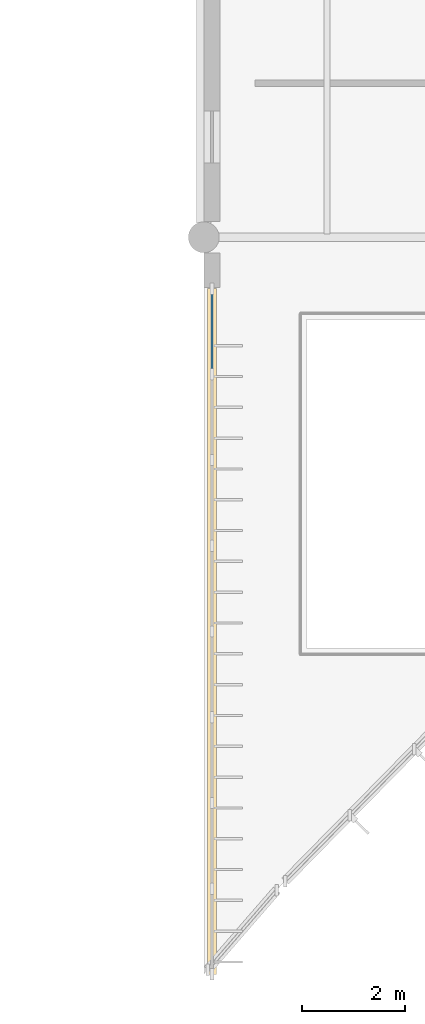
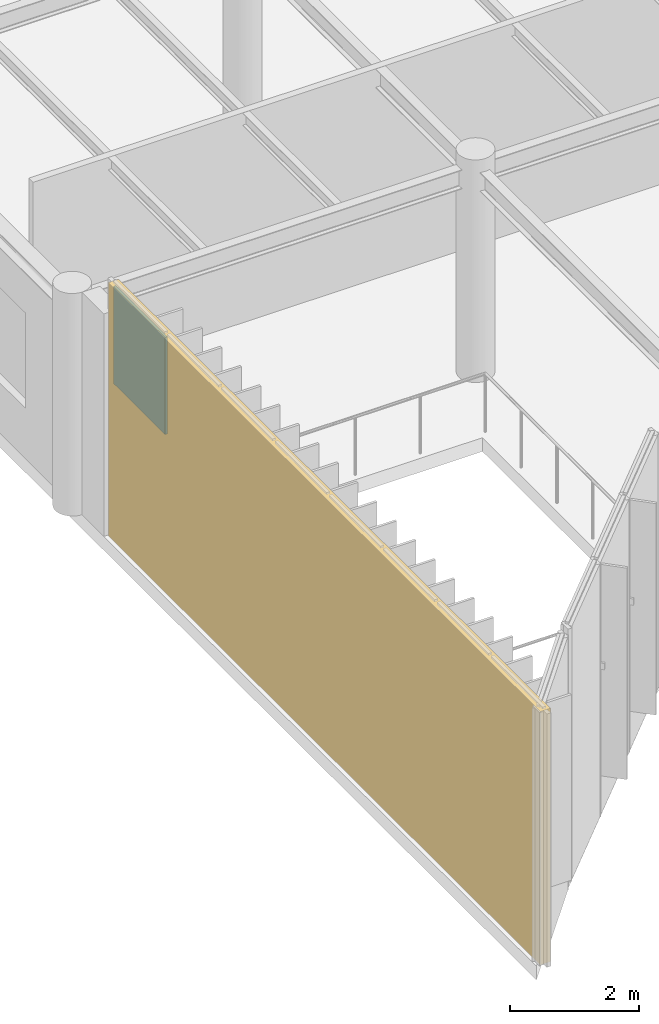
# One storey, part 58 of 104: 1 plate, plus 1 element that does not belong to this part.
"""IFC4 building model written with IfcOpenShell, lengths in metres."""

from ifc_helpers import new_model, si_unit, direction, frame, frame_2d, origin, origin_2d, place, context, subcontext, project, spatial, rectangle, extrude, material, layer, layer_set, type_object, element, aggregate, save


model = new_model("IFC4")

# Units and contexts
model_context = context("Model", 3, precision=1e-05, world=origin(), true_north=direction((0.0, 1.0)))
body_context = subcontext(model_context, "Body", "Model", "MODEL_VIEW")
ifc_project = project(units=[si_unit("LENGTHUNIT", "METRE"), si_unit("AREAUNIT", "SQUARE_METRE"), si_unit("VOLUMEUNIT", "CUBIC_METRE"), si_unit("PLANEANGLEUNIT", "RADIAN"), si_unit("MASSUNIT", "GRAM", prefix="KILO")], contexts=[model_context])

# Plate
ifc_material_1 = material(Name="Double Low-E Acoustic Laminated Glass", Category="glass")
ifc_layer = layer(ifc_material_1, 0.0439453125, Name="Double Low-E Acoustic Laminated Glass")
ifc_layer_set = layer_set([ifc_layer], Name="Double Low-E Acoustic Laminated Glass")
plate_type = type_object("IfcPlateType", Name="Acoustic Laminated Low-E Glazing Unit 44", PredefinedType="CURTAIN_PANEL", material=ifc_layer_set)
site_placement = place(None, origin())
building_placement = place(site_placement, origin())
storey_placement = place(building_placement, frame((0.0, 0.0, 9.0)))
plate_placement = place(storey_placement, frame((36.159912109375, 13.965576171875, 2.87548828125), z_axis=(0.0, 0.0, 1.0), x_axis=(0.0, 1.0, 0.0)))
plate = element("IfcPlate", 1, at=plate_placement, type_object=plate_type, Name="Curtain Panel CWP-01 CW-V5-RET-W-L02-P08.3", PredefinedType="CURTAIN_PANEL", context=body_context, shape_type="SweptSolid", body=[
    extrude(rectangle(XDim=1.5986328125, YDim=0.0439453125, at=origin_2d()), origin(), (0.0, 0.0, 1.0), 1.83447265625),
])

# Site, building, storey
site = spatial("IfcSite", under=ifc_project, at=site_placement, CompositionType="ELEMENT")
building = spatial("IfcBuilding", under=site, at=building_placement, Name="Tazoul Stagehouse", CompositionType="ELEMENT")
storey = spatial("IfcBuildingStorey", under=building, at=storey_placement, Name="L02", CompositionType="ELEMENT", Elevation=9.0)

# Curtain wall
ifc_material_2 = material(Name="Anodised Bronze Aluminium 6063-T6", Category="aluminium")
curtain_wall_type = type_object("IfcCurtainWallType", Name="Crescent Double-Skin Acoustic Curtain Wall", PredefinedType="NOTDEFINED", material=ifc_material_2)
curtain_wall_placement = place(storey_placement, frame((36.159912109375, 1.449951171875, 0.0), z_axis=(0.0, 0.0, 1.0), x_axis=(0.0, 1.0, 0.0)))
curtain_wall = element("IfcCurtainWall", 2, at=curtain_wall_placement, inside=storey, type_object=curtain_wall_type, Name="L02 Curtain Wall CW-01 (CW-V5-RET-W-L02)", PredefinedType="NOTDEFINED", context=body_context, shape_type="SweptSolid", body=[
    extrude(rectangle(XDim=13.35009765625, YDim=0.179931640625, at=frame_2d((6.675048828125, 0.0))), origin(), (0.0, 0.0, 1.0), 4.780029296875),
])

aggregate(curtain_wall, [plate])

save(model, "model.ifc")
